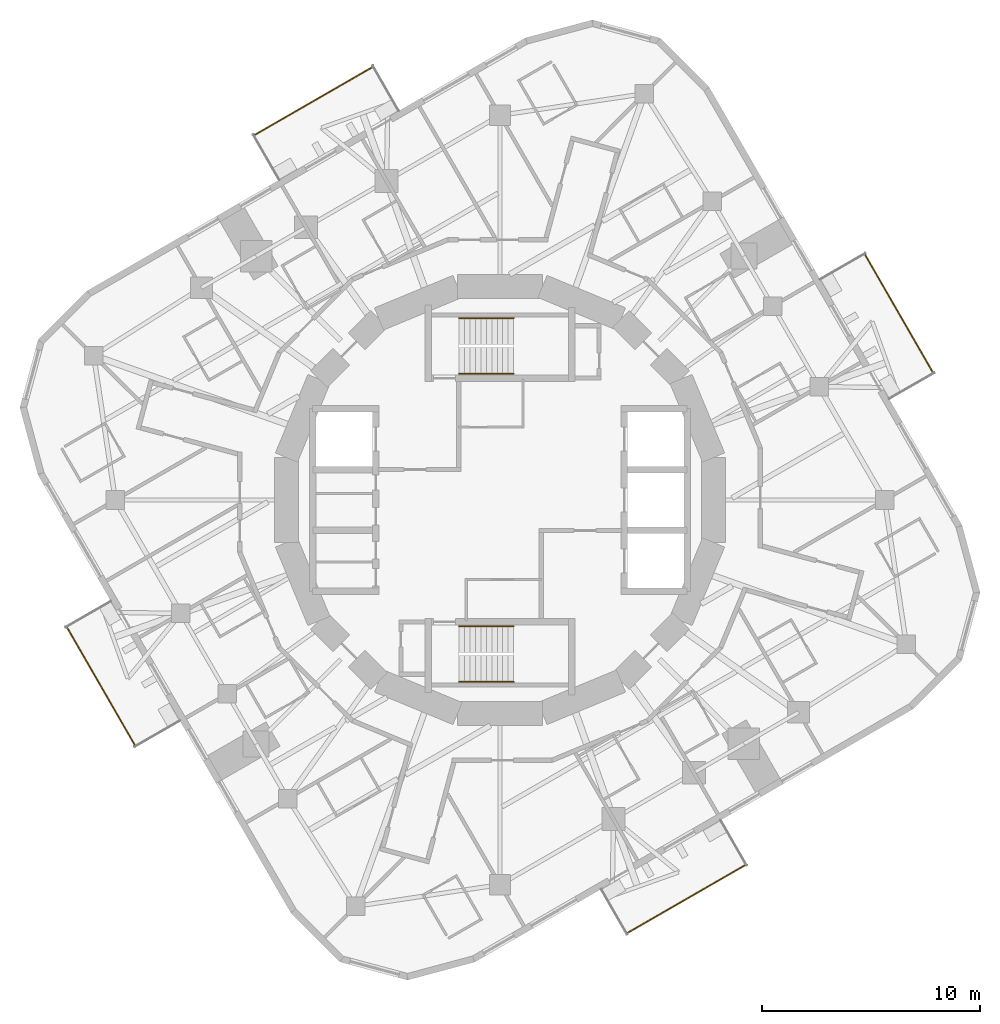
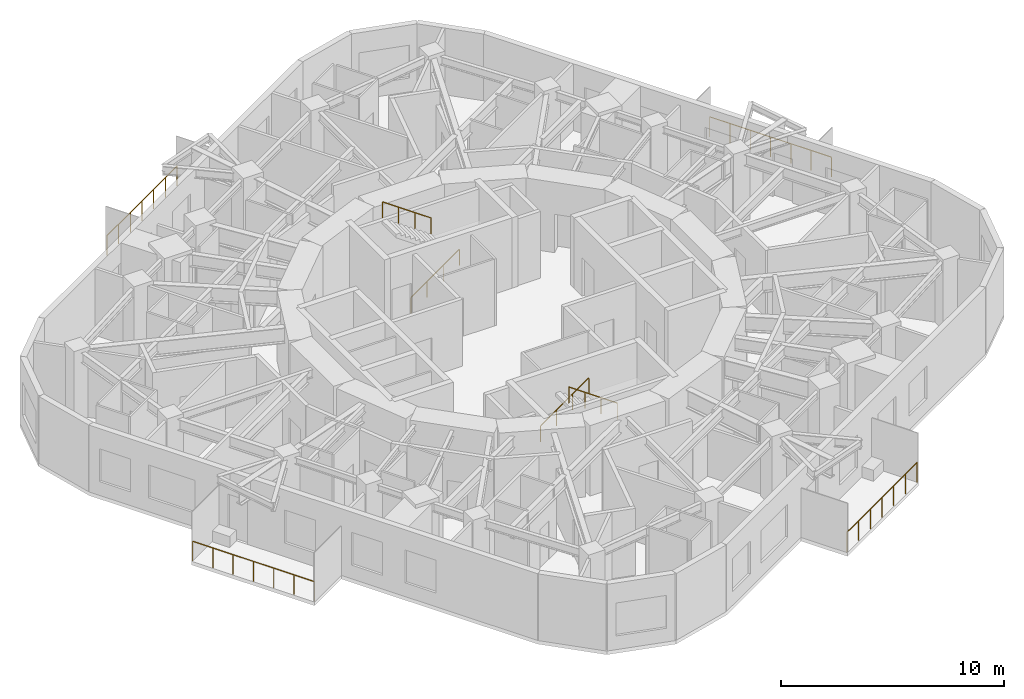
# One storey, part 10 of 11: 8 railings.
"""IFC4 building model written with IfcOpenShell, lengths in metres."""

from ifc_helpers import new_model, si_unit, direction, frame, origin, origin_2d, place, context, subcontext, project, spatial, circle, extrude, material, type_object, element, save


model = new_model("IFC4")

# Units and contexts
model_context = context("Model", 3, precision=1e-05, world=origin(), true_north=direction((0.0, 1.0)))
body_context = subcontext(model_context, "Body", "Model", "MODEL_VIEW")
ifc_project = project(units=[si_unit("LENGTHUNIT", "METRE"), si_unit("AREAUNIT", "SQUARE_METRE"), si_unit("VOLUMEUNIT", "CUBIC_METRE"), si_unit("PLANEANGLEUNIT", "RADIAN"), si_unit("MASSUNIT", "GRAM", prefix="KILO")], contexts=[model_context])

# Site, building, storey
site_placement = place(None, origin())
site = spatial("IfcSite", under=ifc_project, at=site_placement, CompositionType="ELEMENT")
building_placement = place(site_placement, origin())
building = spatial("IfcBuilding", under=site, at=building_placement, Name="Nakasero Lantern House", CompositionType="ELEMENT")
storey_placement = place(building_placement, frame((0.0, 0.0, 250.050048828125)))
storey = spatial("IfcBuildingStorey", under=building, at=storey_placement, Name="L61", CompositionType="ELEMENT", Elevation=250.050048828125)

# Railings
ifc_material_1 = material(Name="Aluminium 6063-T6", Category="aluminium")
railing_type_1 = type_object("IfcRailingType", Name="Balcony guard 1100", PredefinedType="BALUSTRADE", material=ifc_material_1)
railing_1_placement = place(storey_placement, frame((19.894775390625, 5.84130859375, 0.0)))
element("IfcRailing", 1, at=railing_1_placement, inside=storey, type_object=railing_type_1, Name="Balcony guard L61 BAL0", PredefinedType="BALUSTRADE", context=body_context, shape_type="SweptSolid", body=[
    extrude(circle(Radius=0.02392578125, at=origin_2d()), frame((0.0, 0.0, 1.076171875), z_axis=(-0.500007975732, 0.866020798945, 0.0), x_axis=(-0.866020798945, -0.500007975732, 0.0)), (0.0, 0.0, 1.0), 6.29150390625),
    extrude(circle(Radius=0.02099609375, at=origin_2d()), origin(), (0.0, 0.0, 1.0), 1.052001953125),
    extrude(circle(Radius=0.02099609375, at=origin_2d()), frame((-0.5244140625, 0.908203125, 0.0)), (0.0, 0.0, 1.0), 1.052001953125),
    extrude(circle(Radius=0.02099609375, at=origin_2d()), frame((-1.048583984375, 1.816162109375, 0.0)), (0.0, 0.0, 1.0), 1.052001953125),
    extrude(circle(Radius=0.02099609375, at=origin_2d()), frame((-1.57275390625, 2.72412109375, 0.0)), (0.0, 0.0, 1.0), 1.052001953125),
    extrude(circle(Radius=0.02099609375, at=origin_2d()), frame((-2.09716796875, 3.63232421875, 0.0)), (0.0, 0.0, 1.0), 1.052001953125),
    extrude(circle(Radius=0.02099609375, at=origin_2d()), frame((-2.62158203125, 4.54052734375, 0.0)), (0.0, 0.0, 1.0), 1.052001953125),
    extrude(circle(Radius=0.02099609375, at=origin_2d()), frame((-3.145751953125, 5.448486328125, 0.0)), (0.0, 0.0, 1.0), 1.052001953125),
])
railing_2_placement = place(storey_placement, frame((-5.84130859375, 19.894775390625, 0.0)))
element("IfcRailing", 2, at=railing_2_placement, inside=storey, type_object=railing_type_1, Name="Balcony guard L61 BAL1", PredefinedType="BALUSTRADE", context=body_context, shape_type="SweptSolid", body=[
    extrude(circle(Radius=0.02392578125, at=origin_2d()), frame((0.0, 0.0, 1.076171875), z_axis=(-0.866020798945, -0.500007975732, 0.0), x_axis=(0.500007975732, -0.866020798945, 0.0)), (0.0, 0.0, 1.0), 6.29150390625),
    extrude(circle(Radius=0.02099609375, at=origin_2d()), origin(), (0.0, 0.0, 1.0), 1.052001953125),
    extrude(circle(Radius=0.02099609375, at=origin_2d()), frame((-0.908203125, -0.5244140625, 0.0)), (0.0, 0.0, 1.0), 1.052001953125),
    extrude(circle(Radius=0.02099609375, at=origin_2d()), frame((-1.816162109375, -1.048583984375, 0.0)), (0.0, 0.0, 1.0), 1.052001953125),
    extrude(circle(Radius=0.02099609375, at=origin_2d()), frame((-2.72412109375, -1.57275390625, 0.0)), (0.0, 0.0, 1.0), 1.052001953125),
    extrude(circle(Radius=0.02099609375, at=origin_2d()), frame((-3.63232421875, -2.09716796875, 0.0)), (0.0, 0.0, 1.0), 1.052001953125),
    extrude(circle(Radius=0.02099609375, at=origin_2d()), frame((-4.54052734375, -2.62158203125, 0.0)), (0.0, 0.0, 1.0), 1.052001953125),
    extrude(circle(Radius=0.02099609375, at=origin_2d()), frame((-5.448486328125, -3.145751953125, 0.0)), (0.0, 0.0, 1.0), 1.052001953125),
])
railing_3_placement = place(storey_placement, frame((-19.894775390625, -5.84130859375, 0.0)))
element("IfcRailing", 3, at=railing_3_placement, inside=storey, type_object=railing_type_1, Name="Balcony guard L61 BAL2", PredefinedType="BALUSTRADE", context=body_context, shape_type="SweptSolid", body=[
    extrude(circle(Radius=0.02392578125, at=origin_2d()), frame((0.0, 0.0, 1.076171875), z_axis=(0.500007975732, -0.866020798945, 0.0), x_axis=(0.866020798945, 0.500007975732, 0.0)), (0.0, 0.0, 1.0), 6.29150390625),
    extrude(circle(Radius=0.02099609375, at=origin_2d()), origin(), (0.0, 0.0, 1.0), 1.052001953125),
    extrude(circle(Radius=0.02099609375, at=origin_2d()), frame((0.5244140625, -0.908203125, 0.0)), (0.0, 0.0, 1.0), 1.052001953125),
    extrude(circle(Radius=0.02099609375, at=origin_2d()), frame((1.048583984375, -1.816162109375, 0.0)), (0.0, 0.0, 1.0), 1.052001953125),
    extrude(circle(Radius=0.02099609375, at=origin_2d()), frame((1.57275390625, -2.72412109375, 0.0)), (0.0, 0.0, 1.0), 1.052001953125),
    extrude(circle(Radius=0.02099609375, at=origin_2d()), frame((2.09716796875, -3.63232421875, 0.0)), (0.0, 0.0, 1.0), 1.052001953125),
    extrude(circle(Radius=0.02099609375, at=origin_2d()), frame((2.62158203125, -4.54052734375, 0.0)), (0.0, 0.0, 1.0), 1.052001953125),
    extrude(circle(Radius=0.02099609375, at=origin_2d()), frame((3.145751953125, -5.448486328125, 0.0)), (0.0, 0.0, 1.0), 1.052001953125),
])
railing_4_placement = place(storey_placement, frame((5.84130859375, -19.894775390625, 0.0)))
element("IfcRailing", 4, at=railing_4_placement, inside=storey, type_object=railing_type_1, Name="Balcony guard L61 BAL3", PredefinedType="BALUSTRADE", context=body_context, shape_type="SweptSolid", body=[
    extrude(circle(Radius=0.02392578125, at=origin_2d()), frame((0.0, 0.0, 1.076171875), z_axis=(0.866020798945, 0.500007975732, 0.0), x_axis=(-0.500007975732, 0.866020798945, 0.0)), (0.0, 0.0, 1.0), 6.29150390625),
    extrude(circle(Radius=0.02099609375, at=origin_2d()), origin(), (0.0, 0.0, 1.0), 1.052001953125),
    extrude(circle(Radius=0.02099609375, at=origin_2d()), frame((0.908203125, 0.5244140625, 0.0)), (0.0, 0.0, 1.0), 1.052001953125),
    extrude(circle(Radius=0.02099609375, at=origin_2d()), frame((1.816162109375, 1.048583984375, 0.0)), (0.0, 0.0, 1.0), 1.052001953125),
    extrude(circle(Radius=0.02099609375, at=origin_2d()), frame((2.72412109375, 1.57275390625, 0.0)), (0.0, 0.0, 1.0), 1.052001953125),
    extrude(circle(Radius=0.02099609375, at=origin_2d()), frame((3.63232421875, 2.09716796875, 0.0)), (0.0, 0.0, 1.0), 1.052001953125),
    extrude(circle(Radius=0.02099609375, at=origin_2d()), frame((4.54052734375, 2.62158203125, 0.0)), (0.0, 0.0, 1.0), 1.052001953125),
    extrude(circle(Radius=0.02099609375, at=origin_2d()), frame((5.448486328125, 3.145751953125, 0.0)), (0.0, 0.0, 1.0), 1.052001953125),
])
ifc_material_2 = material(Name="Stainless steel 316", Category="steel")
railing_type_2 = type_object("IfcRailingType", Name="Stair handrail 900", PredefinedType="HANDRAIL", material=ifc_material_2)
railing_5_placement = place(storey_placement, frame((-1.875, 5.800048828125, 0.175048828125)))
element("IfcRailing", 5, at=railing_5_placement, inside=storey, type_object=railing_type_2, Name="Handrail ST1 L61 flight 1", PredefinedType="HANDRAIL", context=body_context, shape_type="SweptSolid", body=[
    extrude(circle(Radius=0.02392578125, at=origin_2d()), frame((0.0, 0.0, 0.8759765625), z_axis=(0.819231920519, 0.0, 0.573462344363), x_axis=(0.0, 1.0, 0.0)), (0.0, 0.0, 1.0), 3.0517578125),
    extrude(circle(Radius=0.02099609375, at=origin_2d()), origin(), (0.0, 0.0, 1.0), 0.851806640625),
    extrude(circle(Radius=0.02099609375, at=origin_2d()), frame((0.833251953125, 0.0, 0.583251953125)), (0.0, 0.0, 1.0), 0.851806640625),
    extrude(circle(Radius=0.02099609375, at=origin_2d()), frame((1.666748046875, 0.0, 1.166748046875)), (0.0, 0.0, 1.0), 0.851806640625),
    extrude(circle(Radius=0.02099609375, at=origin_2d()), frame((2.5, 0.0, 1.75)), (0.0, 0.0, 1.0), 0.851806640625),
])
railing_6_placement = place(storey_placement, frame((0.625, 8.35009765625, 2.099853515625)))
element("IfcRailing", 6, at=railing_6_placement, inside=storey, type_object=railing_type_2, Name="Handrail ST1 L61 flight 2", PredefinedType="HANDRAIL", context=body_context, shape_type="SweptSolid", body=[
    extrude(circle(Radius=0.02392578125, at=origin_2d()), frame((0.0, 0.0, 0.8759765625), z_axis=(-0.819231920519, 0.0, 0.573462344363), x_axis=(0.0, -1.0, 0.0)), (0.0, 0.0, 1.0), 3.0517578125),
    extrude(circle(Radius=0.02099609375, at=origin_2d()), origin(), (0.0, 0.0, 1.0), 0.851806640625),
    extrude(circle(Radius=0.02099609375, at=origin_2d()), frame((-0.833251953125, 0.0, 0.583251953125)), (0.0, 0.0, 1.0), 0.851806640625),
    extrude(circle(Radius=0.02099609375, at=origin_2d()), frame((-1.666748046875, 0.0, 1.166748046875)), (0.0, 0.0, 1.0), 0.851806640625),
    extrude(circle(Radius=0.02099609375, at=origin_2d()), frame((-2.5, 0.0, 1.75)), (0.0, 0.0, 1.0), 0.851806640625),
])
railing_7_placement = place(storey_placement, frame((-1.875, -5.800048828125, 0.175048828125)))
element("IfcRailing", 7, at=railing_7_placement, inside=storey, type_object=railing_type_2, Name="Handrail ST2 L61 flight 1", PredefinedType="HANDRAIL", context=body_context, shape_type="SweptSolid", body=[
    extrude(circle(Radius=0.02392578125, at=origin_2d()), frame((0.0, 0.0, 0.8759765625), z_axis=(0.819231920519, 0.0, 0.573462344363), x_axis=(0.0, 1.0, 0.0)), (0.0, 0.0, 1.0), 3.0517578125),
    extrude(circle(Radius=0.02099609375, at=origin_2d()), origin(), (0.0, 0.0, 1.0), 0.851806640625),
    extrude(circle(Radius=0.02099609375, at=origin_2d()), frame((0.833251953125, 0.0, 0.583251953125)), (0.0, 0.0, 1.0), 0.851806640625),
    extrude(circle(Radius=0.02099609375, at=origin_2d()), frame((1.666748046875, 0.0, 1.166748046875)), (0.0, 0.0, 1.0), 0.851806640625),
    extrude(circle(Radius=0.02099609375, at=origin_2d()), frame((2.5, 0.0, 1.75)), (0.0, 0.0, 1.0), 0.851806640625),
])
railing_8_placement = place(storey_placement, frame((0.625, -8.35009765625, 2.099853515625)))
element("IfcRailing", 8, at=railing_8_placement, inside=storey, type_object=railing_type_2, Name="Handrail ST2 L61 flight 2", PredefinedType="HANDRAIL", context=body_context, shape_type="SweptSolid", body=[
    extrude(circle(Radius=0.02392578125, at=origin_2d()), frame((0.0, 0.0, 0.8759765625), z_axis=(-0.819231920519, 0.0, 0.573462344363), x_axis=(0.0, -1.0, 0.0)), (0.0, 0.0, 1.0), 3.0517578125),
    extrude(circle(Radius=0.02099609375, at=origin_2d()), origin(), (0.0, 0.0, 1.0), 0.851806640625),
    extrude(circle(Radius=0.02099609375, at=origin_2d()), frame((-0.833251953125, 0.0, 0.583251953125)), (0.0, 0.0, 1.0), 0.851806640625),
    extrude(circle(Radius=0.02099609375, at=origin_2d()), frame((-1.666748046875, 0.0, 1.166748046875)), (0.0, 0.0, 1.0), 0.851806640625),
    extrude(circle(Radius=0.02099609375, at=origin_2d()), frame((-2.5, 0.0, 1.75)), (0.0, 0.0, 1.0), 0.851806640625),
])

save(model, "model.ifc")
